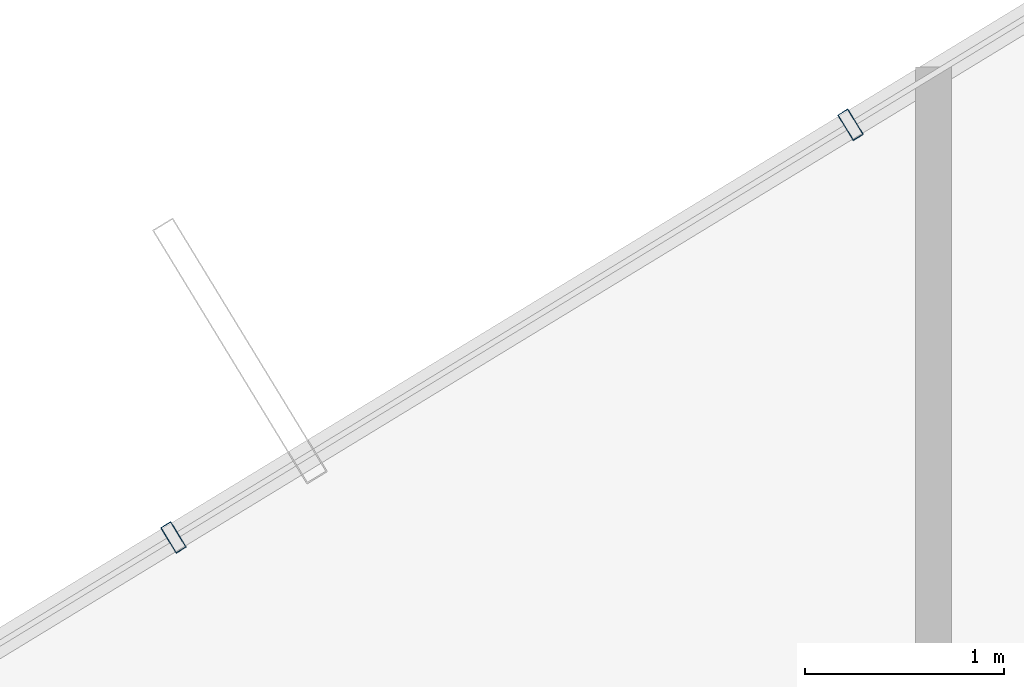
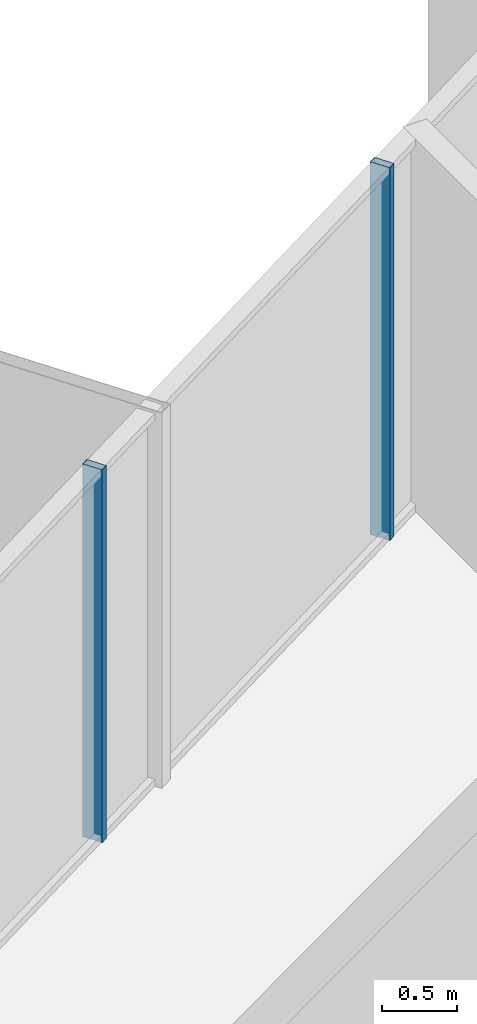
# One storey, part 21 of 32: 2 members, 1 element without a shape of its own.
"""IFC4 building model written with IfcOpenShell, lengths in metres."""

from ifc_helpers import new_model, si_unit, direction, frame, origin, origin_2d, place, context, subcontext, project, spatial, hollow_rectangle, extrude, source, transform, mapped, material, layer, layer_set, material_profile, profile_set, type_object, element, aggregate, save


model = new_model("IFC4")

# Units and contexts
model_context = context("Model", 3, precision=1e-05, world=origin(), true_north=direction((0.0, 1.0)))
body_context = subcontext(model_context, "Body", "Model", "MODEL_VIEW")
ifc_project = project(units=[si_unit("LENGTHUNIT", "METRE"), si_unit("AREAUNIT", "SQUARE_METRE"), si_unit("VOLUMEUNIT", "CUBIC_METRE"), si_unit("PLANEANGLEUNIT", "RADIAN"), si_unit("MASSUNIT", "GRAM", prefix="KILO")], contexts=[model_context])

# Site, building, storey
site_placement = place(None, origin())
site = spatial("IfcSite", under=ifc_project, at=site_placement, CompositionType="ELEMENT")
building_placement = place(site_placement, origin())
building = spatial("IfcBuilding", under=site, at=building_placement, Name="Veraguas Prism Commons", CompositionType="ELEMENT")
storey_placement = place(building_placement, frame((0.0, 0.0, 201.60009765625)))
storey = spatial("IfcBuildingStorey", under=building, at=storey_placement, Name="L57", CompositionType="ELEMENT", Elevation=201.60009765625)

# Curtain wall, members
ifc_material = material(Name="Anodised aluminium EN AW-6063 T6", Category="aluminium")
ifc_layer = layer(ifc_material, 0.14990234375, Name="Unitised Flush Curtain Wall Zone 3", Category="aluminium")
ifc_layer_set = layer_set([ifc_layer], Name="Anodised aluminium EN AW-6063 T6")
curtain_wall_type = type_object("IfcCurtainWallType", Name="Unitised Flush Curtain Wall Zone 3", PredefinedType="NOTDEFINED", material=ifc_layer_set)
curtain_wall_placement = place(storey_placement, origin())
curtain_wall = element("IfcCurtainWall", 1, at=curtain_wall_placement, inside=storey, type_object=curtain_wall_type, Name="Tower Facade Curtain Wall L57-F2", PredefinedType="NOTDEFINED")
ifc_material_profile = material_profile(ifc_material, hollow_rectangle(XDim=0.06005859375, YDim=0.14990234375, WallThickness=0.0029296875, at=origin_2d()), Name="AL60X150X3")
ifc_profile_set = profile_set([ifc_material_profile], Name="Anodised aluminium EN AW-6063 T6")
member_type = type_object("IfcMemberType", Name="Curtain Wall Mullion Upper AL 60x150x3", PredefinedType="MULLION", material=ifc_profile_set)
shared_shape = source(origin(), body_context, "Body", "SweptSolid", [
    extrude(hollow_rectangle(XDim=0.06005859375, YDim=0.14990234375, WallThickness=0.0029296875, at=origin_2d()), origin(), (0.0, 0.0, 1.0), 3.014892578125),
])
member_1_placement = place(storey_placement, frame((14.783447265625, 39.123046875, 0.0), z_axis=(0.0, 0.0, 1.0), x_axis=(-0.853914322581, -0.520413614052, 0.0)))
member_1 = element("IfcMember", 2, at=member_1_placement, type_object=member_type, Name="CW-Z3 Mullion 3", PredefinedType="MULLION", context=body_context, shape_type="MappedRepresentation", body=[
    mapped(shared_shape, transform((0.0, 0.0, 0.0), scale=1.0)),
])
member_2_placement = place(storey_placement, frame((11.388671875, 37.053955078125, 0.0), z_axis=(0.0, 0.0, 1.0), x_axis=(-0.853914322581, -0.520413614052, 0.0)))
member_2 = element("IfcMember", 3, at=member_2_placement, type_object=member_type, Name="CW-Z3 Mullion 4", PredefinedType="MULLION", context=body_context, shape_type="MappedRepresentation", body=[
    mapped(shared_shape, transform((0.0, 0.0, 0.0), scale=1.0)),
])
aggregate(curtain_wall, [member_1, member_2])

save(model, "model.ifc")
